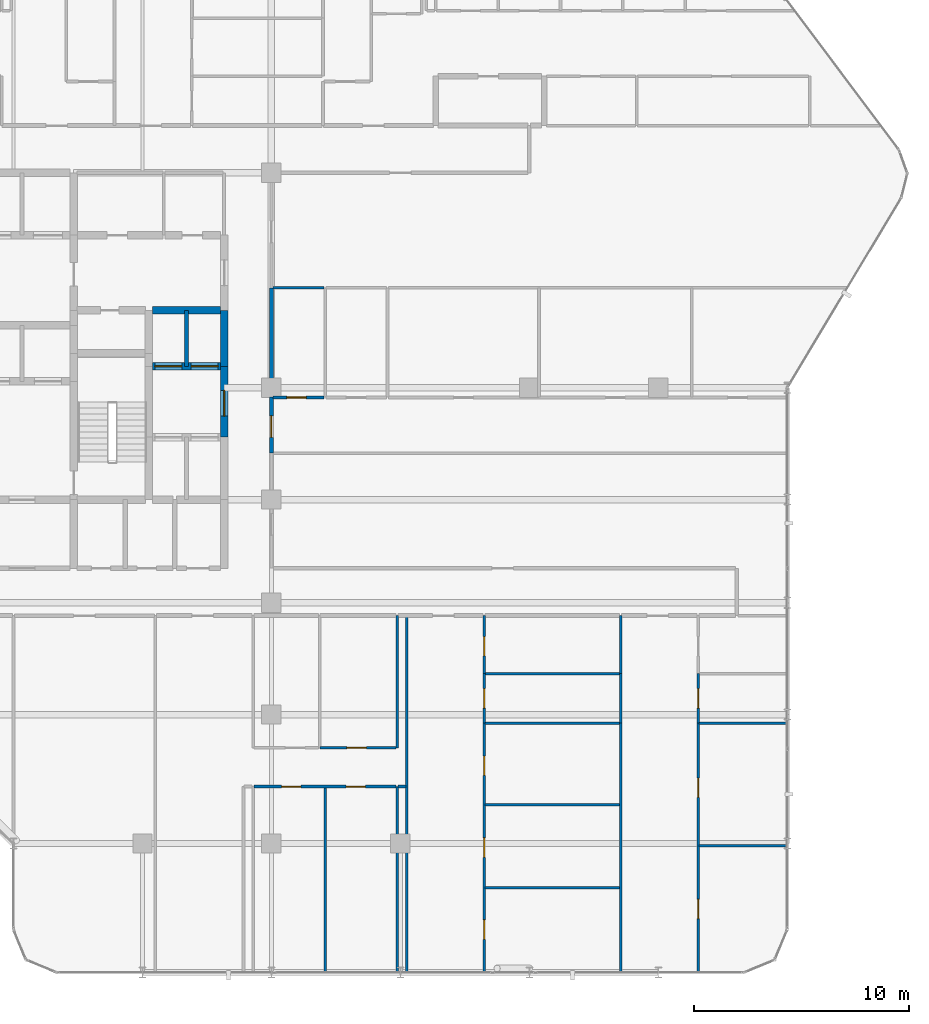
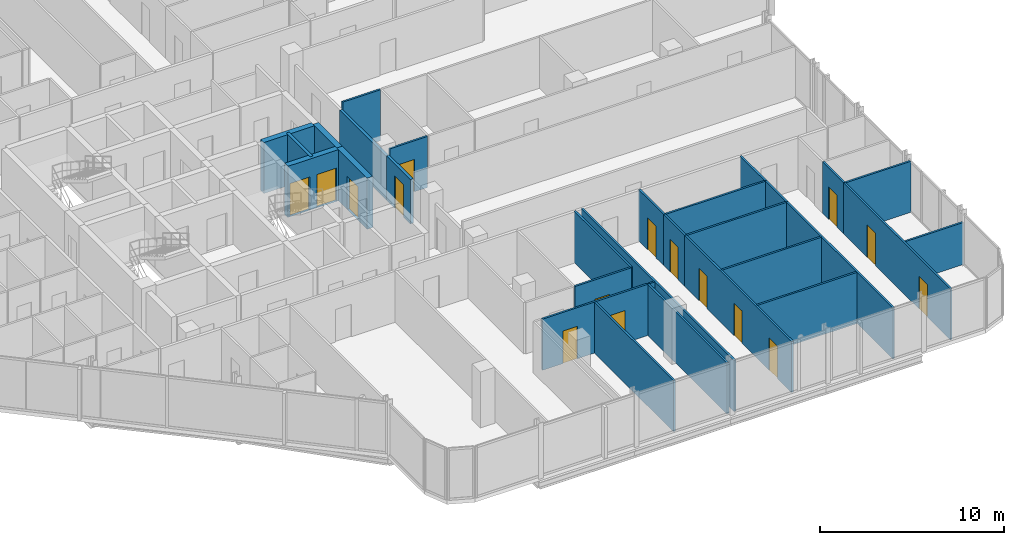
# One storey, part 27 of 31: 30 walls, 16 doors, 16 openings.
"""IFC4 building model written with IfcOpenShell, lengths in metres."""

import ifcopenshell
import ifcopenshell.guid

model = None  # the IFC model being written
_history = None  # IfcOwnerHistory: only IFC2X3 demands one
_inside = {}  # id of a spatial element -> (the spatial element, [elements in it])
_under = {}  # id of a project, library or spatial element -> (it, [spatial elements below it])
_declared = {}  # id of a project -> (the project, [libraries it declares])
_typed = {}  # id of a type object -> (the type object, [elements of that type])
_made_of = {}  # id of a material, layer set ... -> (it, [elements and type objects made of it])


def new_model(schema):
    """Start an empty IFC model of exactly this schema.

    Asked for "IFC4X3", IfcOpenShell would pick the latest addendum, in which some entities
    have other attributes; the version numbers below select the first issue.
    IFC2X3 requires an IfcOwnerHistory on every rooted entity: one is made here for all.
    """
    global model, _history
    if schema == "IFC4X3":
        model = ifcopenshell.file(schema_version=(4, 3, 0, 0))
    else:
        model = ifcopenshell.file(schema=schema)
    _inside.clear()
    _under.clear()
    _declared.clear()
    _typed.clear()
    _made_of.clear()
    _history = None
    if model.schema == "IFC2X3":
        org = make("IfcOrganization", Name="unknown")
        user = make(
            "IfcPersonAndOrganization",
            ThePerson=make("IfcPerson", FamilyName="unknown"),
            TheOrganization=org,
        )
        app = make(
            "IfcApplication",
            ApplicationDeveloper=org,
            Version="unknown",
            ApplicationFullName="unknown",
            ApplicationIdentifier="unknown",
        )
        _history = make(
            "IfcOwnerHistory",
            OwningUser=user,
            OwningApplication=app,
            ChangeAction="ADDED",
            CreationDate=0,
        )
    return model


def make(cls, **values):
    """One entity of the class cls with the attributes given. An attribute that is None is left unset."""
    return model.create_entity(
        cls, **{name: value for name, value in values.items() if value is not None}
    )


def rooted(cls, **values):
    """An entity with a GlobalId (a new one), such as an element, a storey or a relation."""
    return make(cls, GlobalId=ifcopenshell.guid.new(), OwnerHistory=_history, **values)


def si_unit(unit_type, name, prefix=None):
    """IfcSIUnit, for example si_unit("LENGTHUNIT", "METRE", prefix="MILLI")."""
    return make("IfcSIUnit", UnitType=unit_type, Prefix=prefix, Name=name)


def assignment(units):
    """IfcUnitAssignment: the units of a project."""
    return None if units is None else make("IfcUnitAssignment", Units=units)


def point(xyz):
    """IfcCartesianPoint."""
    return None if xyz is None else make("IfcCartesianPoint", Coordinates=xyz)


def direction(xyz):
    """IfcDirection."""
    return None if xyz is None else make("IfcDirection", DirectionRatios=xyz)


def frame(location, z_axis=None, x_axis=None):
    """IfcAxis2Placement3D, a coordinate frame: its origin and axes. An axis left out is left unset."""
    return make(
        "IfcAxis2Placement3D",
        Location=point(location),
        Axis=direction(z_axis),
        RefDirection=direction(x_axis),
    )


def frame_2d(location, x_axis=None):
    """IfcAxis2Placement2D, a coordinate frame in the plane: its origin and x axis."""
    return make(
        "IfcAxis2Placement2D", Location=point(location), RefDirection=direction(x_axis)
    )


def origin():
    """The frame at (0, 0, 0) with its axes left unset."""
    return frame((0.0, 0.0, 0.0))


def place(relative_to, where):
    """IfcLocalPlacement: puts the frame where relative to a parent placement (None: the world)."""
    return make(
        "IfcLocalPlacement", PlacementRelTo=relative_to, RelativePlacement=where
    )


def context(
    kind, dimensions, precision=None, world=None, true_north=None, identifier=None
):
    """IfcGeometricRepresentationContext, for example the 3D "Model" context."""
    return make(
        "IfcGeometricRepresentationContext",
        ContextIdentifier=identifier,
        ContextType=kind,
        CoordinateSpaceDimension=dimensions,
        Precision=precision,
        WorldCoordinateSystem=world,
        TrueNorth=true_north,
    )


def subcontext(parent, identifier, kind, view, scale=None):
    """IfcGeometricRepresentationSubContext, for example "Body" below "Model"."""
    return make(
        "IfcGeometricRepresentationSubContext",
        ContextIdentifier=identifier,
        ContextType=kind,
        ParentContext=parent,
        TargetScale=scale,
        TargetView=view,
    )


def project(units=None, contexts=None):
    """IfcProject with its units and contexts."""
    return rooted(
        "IfcProject",
        Name="project",
        RepresentationContexts=contexts,
        UnitsInContext=assignment(units),
    )


def spatial(cls, under=None, at=None, **own):
    """A site, building, storey or space (cls), placed at a placement, below another one or the project."""
    s = rooted(cls, ObjectPlacement=at, **own)
    if under is not None:
        _under.setdefault(under.id(), (under, []))[1].append(s)
    return s


def profile(cls, at=None, kind="AREA", **sizes):
    """A parametric profile (cls). Its sizes go by their IFC names, for example OverallWidth=200.0."""
    return make(cls, ProfileType=kind, Position=at, **sizes)


def rectangle(**sizes):
    """IfcRectangleProfileDef."""
    return profile("IfcRectangleProfileDef", **sizes)


def extrude(swept, where, along, depth):
    """IfcExtrudedAreaSolid: the profile swept, set in the frame where, extruded along a direction by depth."""
    return make(
        "IfcExtrudedAreaSolid",
        SweptArea=swept,
        Position=where,
        ExtrudedDirection=direction(along),
        Depth=depth,
    )


def shape(context_of_items, identifier, shape_type, items):
    """IfcShapeRepresentation: the items that make up one representation, for example the "Body"."""
    return make(
        "IfcShapeRepresentation",
        ContextOfItems=context_of_items,
        RepresentationIdentifier=identifier,
        RepresentationType=shape_type,
        Items=items,
    )


def material(Name=None, Category=None):
    """IfcMaterial."""
    return make("IfcMaterial", Name=Name, Category=Category)


def layer(
    of_material, thickness, ventilated=None, Name=None, Category=None, Priority=None
):
    """IfcMaterialLayer: one layer of a wall or slab, of a material (None: an air gap)."""
    return make(
        "IfcMaterialLayer",
        Material=of_material,
        LayerThickness=thickness,
        IsVentilated=ventilated,
        Name=Name,
        Category=Category,
        Priority=Priority,
    )


def layer_set(layers, Name=None):
    """IfcMaterialLayerSet."""
    return make("IfcMaterialLayerSet", MaterialLayers=layers, LayerSetName=Name)


def made_of(thing, what):
    """Note that an element or type object is made of a material, layer set ...; save() writes the relation."""
    if what is not None:
        _made_of.setdefault(what.id(), (what, []))[1].append(thing)
    return thing


def type_object(cls, material=None, **own):
    """A type object (cls), such as IfcWallType, which elements share."""
    return made_of(rooted(cls, **own), material)


def element(
    cls,
    number,
    at=None,
    inside=None,
    cuts=None,
    type_object=None,
    material=None,
    context=None,
    identifier="Body",
    shape_type=None,
    held_by="IfcProductDefinitionShape",
    body=None,
    shapes=None,
    **own,
):
    """One element of the class cls, such as IfcWall. Its Tag is "e" and its number.

    at: its placement. inside: the storey or other place that contains it. cuts: it is an
    opening in that element (IfcRelVoidsElement). A single representation is given by context,
    identifier, shape_type and body (its items); several are given by shapes. held_by: the class
    of the entity that holds the representations. save() writes the other relations.
    """
    e = rooted(cls, Tag="e%d" % number, ObjectPlacement=at, **own)
    if body is not None:
        shapes = [shape(context, identifier, shape_type, body)]
    if shapes is not None:
        e.Representation = make(held_by, Representations=shapes)
    if inside is not None:
        _inside.setdefault(inside.id(), (inside, []))[1].append(e)
    if cuts is not None:
        rooted(
            "IfcRelVoidsElement", RelatingBuildingElement=cuts, RelatedOpeningElement=e
        )
    if type_object is not None:
        _typed.setdefault(type_object.id(), (type_object, []))[1].append(e)
    return made_of(e, material)


def fill(opening, filler):
    """IfcRelFillsElement: the door or window that sits in an opening."""
    return rooted(
        "IfcRelFillsElement",
        RelatingOpeningElement=opening,
        RelatedBuildingElement=filler,
    )


def aggregate(whole, parts):
    """IfcRelAggregates: a whole, such as a stair, and the parts it consists of."""
    return rooted("IfcRelAggregates", RelatingObject=whole, RelatedObjects=parts)


def save(model, path):
    """Write the relations noted so far, then the file.

    IfcRelAggregates (storeys below a building ...), IfcRelContainedInSpatialStructure (elements
    in a storey), IfcRelDefinesByType, IfcRelAssociatesMaterial and IfcRelDeclares: one each for
    every whole, place, type object, material and project.
    """
    for whole, parts in _under.values():
        aggregate(whole, parts)
    for where, things in _inside.values():
        rooted(
            "IfcRelContainedInSpatialStructure",
            RelatedElements=things,
            RelatingStructure=where,
        )
    for kind, things in _typed.values():
        rooted("IfcRelDefinesByType", RelatedObjects=things, RelatingType=kind)
    for what, things in _made_of.values():
        rooted("IfcRelAssociatesMaterial", RelatedObjects=things, RelatingMaterial=what)
    for by, libraries in _declared.values():
        rooted("IfcRelDeclares", RelatingContext=by, RelatedDefinitions=libraries)
    model.write(path)


model = new_model("IFC4")

# Units and contexts
model_context = context("Model", 3, precision=1e-05, world=origin(), true_north=direction((0.0, 1.0)))
body_context = subcontext(model_context, "Body", "Model", "MODEL_VIEW")
ifc_project = project(units=[si_unit("LENGTHUNIT", "METRE"), si_unit("AREAUNIT", "SQUARE_METRE"), si_unit("VOLUMEUNIT", "CUBIC_METRE"), si_unit("PLANEANGLEUNIT", "RADIAN"), si_unit("MASSUNIT", "GRAM", prefix="KILO")], contexts=[model_context])

# Site, building, storey
site_placement = place(None, origin())
site = spatial("IfcSite", under=ifc_project, at=site_placement, CompositionType="ELEMENT")
building_placement = place(site_placement, origin())
building = spatial("IfcBuilding", under=site, at=building_placement, Name="Keshet Zoharim Tower", CompositionType="ELEMENT")
storey_placement = place(building_placement, frame((0.0, 0.0, 133.5)))
storey = spatial("IfcBuildingStorey", under=building, at=storey_placement, Name="L32", CompositionType="ELEMENT", Elevation=133.5)

# Wall, opening, door
ifc_material_1 = material(Name="Concrete C60/75", Category="concrete")
ifc_layer_1 = layer(ifc_material_1, 0.35009765625)
ifc_layer_set_1 = layer_set([ifc_layer_1], Name="Concrete C60/75")
wall_type_1 = type_object("IfcWallType", Name="WL-CORE-350", PredefinedType="SHEAR", material=ifc_layer_set_1)
wall_1_placement = place(storey_placement, frame((30.800048828125, 25.60009765625, 0.0), z_axis=(0.0, 0.0, 1.0), x_axis=(0.0, 1.0, 0.0)))
wall_1 = element("IfcWall", 1, at=wall_1_placement, inside=storey, type_object=wall_type_1, Name="L32 Core Shear Wall 061", PredefinedType="SHEAR", context=body_context, shape_type="SweptSolid", body=[
    extrude(rectangle(XDim=3.2998046875, YDim=0.35009765625, at=frame_2d((1.64990234375, 0.0))), origin(), (0.0, 0.0, 1.0), 3.385009765625),
])
opening_1_placement = place(wall_1_placement, frame((0.97802734375, 0.0, 0.0)))
opening_1 = element("IfcOpeningElement", 2, at=opening_1_placement, cuts=wall_1, Name="Opening D-F612", PredefinedType="OPENING", context=body_context, shape_type="SweptSolid", body=[
    extrude(rectangle(XDim=1.199951171875, YDim=2.199951171875, at=frame_2d((0.60009765625, 1.10009765625))), frame((0.0, 0.18505859375, 0.0), z_axis=(0.0, -1.0, 0.0), x_axis=(1.0, 0.0, 0.0)), (0.0, 0.0, 1.0), 0.3701171875),
])
ifc_material_2 = material(Name="Hardwood Timber", Category="wood")
door_type_1 = type_object("IfcDoorType", Name="DR-FD60-120", OperationType="NOTDEFINED", PredefinedType="DOOR", material=ifc_material_2)
door_1_placement = place(opening_1_placement, origin())
door_1 = element("IfcDoor", 3, at=door_1_placement, inside=storey, type_object=door_type_1, Name="L32 East Lift Lobby Fire Door", OperationType="SINGLE_SWING_LEFT", OverallHeight=2.199951171875, OverallWidth=1.199951171875, PredefinedType="DOOR", context=body_context, shape_type="SweptSolid", body=[
    extrude(rectangle(XDim=1.199951171875, YDim=2.199951171875, at=frame_2d((0.60009765625, 1.10009765625))), frame((0.0, 0.02490234375, 0.0), z_axis=(0.0, -1.0, 0.0), x_axis=(1.0, 0.0, 0.0)), (0.0, 0.0, 1.0), 0.050048828125),
])
fill(opening_1, door_1)

# Wall
wall_2_placement = place(storey_placement, frame((30.800048828125, 28.89990234375, 0.0), z_axis=(0.0, 0.0, 1.0), x_axis=(0.0, 1.0, 0.0)))
element("IfcWall", 4, at=wall_2_placement, inside=storey, type_object=wall_type_1, Name="L32 Core Shear Wall 062", PredefinedType="SHEAR", context=body_context, shape_type="SweptSolid", body=[
    extrude(rectangle(XDim=2.60009765625, YDim=0.35009765625, at=frame_2d((1.300048828125, 0.0))), origin(), (0.0, 0.0, 1.0), 3.385009765625),
])

# Wall, openings, doors
wall_3_placement = place(storey_placement, frame((27.4599609375, 28.89990234375, 0.0), z_axis=(0.0, 0.0, 1.0), x_axis=(1.0, 0.0, 0.0)))
wall_3 = element("IfcWall", 5, at=wall_3_placement, inside=storey, type_object=wall_type_1, Name="L32 Core Shear Wall 160", PredefinedType="SHEAR", context=body_context, shape_type="SweptSolid", body=[
    extrude(rectangle(XDim=3.179931640625, YDim=0.35009765625, at=frame_2d((1.58984375, 0.0))), origin(), (0.0, 0.0, 1.0), 3.385009765625),
])
opening_2_placement = place(wall_3_placement, frame((0.1201171875, 0.0, 0.0)))
opening_2 = element("IfcOpeningElement", 6, at=opening_2_placement, cuts=wall_3, Name="Opening LD-01", PredefinedType="OPENING", context=body_context, shape_type="SweptSolid", body=[
    extrude(rectangle(XDim=1.25, YDim=2.199951171875, at=frame_2d((0.625, 1.10009765625))), frame((0.0, 0.18505859375, 0.0), z_axis=(0.0, -1.0, 0.0), x_axis=(1.0, 0.0, 0.0)), (0.0, 0.0, 1.0), 0.3701171875),
])
opening_3_placement = place(wall_3_placement, frame((1.81005859375, 0.0, 0.0)))
opening_3 = element("IfcOpeningElement", 7, at=opening_3_placement, cuts=wall_3, Name="Opening LD-01", PredefinedType="OPENING", context=body_context, shape_type="SweptSolid", body=[
    extrude(rectangle(XDim=1.25, YDim=2.199951171875, at=frame_2d((0.625, 1.10009765625))), frame((0.0, 0.18505859375, 0.0), z_axis=(0.0, -1.0, 0.0), x_axis=(1.0, 0.0, 0.0)), (0.0, 0.0, 1.0), 0.3701171875),
])
ifc_material_3 = material(Name="Steel S355", Category="steel")
door_type_2 = type_object("IfcDoorType", Name="DR-LD01-125", OperationType="DOUBLE_DOOR_SLIDING", PredefinedType="DOOR", material=ifc_material_3)
door_2_placement = place(opening_2_placement, origin())
door_2 = element("IfcDoor", 8, at=door_2_placement, inside=storey, type_object=door_type_2, Name="L32 Passenger Lift Landing Door LF-05", OperationType="DOUBLE_DOOR_SLIDING", OverallHeight=2.199951171875, OverallWidth=1.25, PredefinedType="DOOR", context=body_context, shape_type="SweptSolid", body=[
    extrude(rectangle(XDim=1.25, YDim=2.199951171875, at=frame_2d((0.625, 1.10009765625))), frame((0.0, 0.02490234375, 0.0), z_axis=(0.0, -1.0, 0.0), x_axis=(1.0, 0.0, 0.0)), (0.0, 0.0, 1.0), 0.050048828125),
])
fill(opening_2, door_2)
door_3_placement = place(opening_3_placement, origin())
door_3 = element("IfcDoor", 9, at=door_3_placement, inside=storey, type_object=door_type_2, Name="L32 Passenger Lift Landing Door LF-06", OperationType="DOUBLE_DOOR_SLIDING", OverallHeight=2.199951171875, OverallWidth=1.25, PredefinedType="DOOR", context=body_context, shape_type="SweptSolid", body=[
    extrude(rectangle(XDim=1.25, YDim=2.199951171875, at=frame_2d((0.625, 1.10009765625))), frame((0.0, 0.02490234375, 0.0), z_axis=(0.0, -1.0, 0.0), x_axis=(1.0, 0.0, 0.0)), (0.0, 0.0, 1.0), 0.050048828125),
])
fill(opening_3, door_3)

# Wall
wall_4_placement = place(storey_placement, frame((27.4599609375, 31.5, 0.0), z_axis=(0.0, 0.0, 1.0), x_axis=(1.0, 0.0, 0.0)))
element("IfcWall", 10, at=wall_4_placement, inside=storey, type_object=wall_type_1, Name="L32 Core Shear Wall 169", PredefinedType="SHEAR", context=body_context, shape_type="SweptSolid", body=[
    extrude(rectangle(XDim=3.179931640625, YDim=0.35009765625, at=frame_2d((1.58984375, 0.0))), origin(), (0.0, 0.0, 1.0), 3.385009765625),
])

# Wall, opening, door
ifc_material_4 = material(Name="Gypsum Plasterboard", Category="gypsum")
ifc_layer_2 = layer(ifc_material_4, 0.179931640625)
ifc_layer_set_2 = layer_set([ifc_layer_2], Name="Gypsum Plasterboard")
wall_type_2 = type_object("IfcWallType", Name="WL-CORR-180", PredefinedType="STANDARD", material=ifc_layer_set_2)
wall_5_placement = place(storey_placement, frame((33.0, 24.8701171875, 0.0), z_axis=(0.0, 0.0, 1.0), x_axis=(0.0, 1.0, 0.0)))
wall_5 = element("IfcWall", 11, at=wall_5_placement, inside=storey, type_object=wall_type_2, Name="L32 Interior Wall 069", PredefinedType="STANDARD", context=body_context, shape_type="SweptSolid", body=[
    extrude(rectangle(XDim=2.599853515625, YDim=0.179931640625, at=frame_2d((1.2998046875, 0.0))), origin(), (0.0, 0.0, 1.0), 2.93505859375),
])
opening_4_placement = place(wall_5_placement, frame((0.722900390625, 0.0, 0.0)))
opening_4 = element("IfcOpeningElement", 12, at=opening_4_placement, cuts=wall_5, Name="Opening D-F310", PredefinedType="OPENING", context=body_context, shape_type="SweptSolid", body=[
    extrude(rectangle(XDim=1.0, YDim=2.14990234375, at=frame_2d((0.5, 1.074951171875))), frame((0.0, 0.10009765625, 0.0), z_axis=(0.0, -1.0, 0.0), x_axis=(1.0, 0.0, 0.0)), (0.0, 0.0, 1.0), 0.199951171875),
])
door_type_3 = type_object("IfcDoorType", Name="DR-FD30-100", OperationType="NOTDEFINED", PredefinedType="DOOR", material=ifc_material_2)
door_4_placement = place(opening_4_placement, origin())
door_4 = element("IfcDoor", 13, at=door_4_placement, inside=storey, type_object=door_type_3, Name="Apartment 3211 Entrance Door", OperationType="SINGLE_SWING_RIGHT", OverallHeight=2.14990234375, OverallWidth=1.0, PredefinedType="DOOR", context=body_context, shape_type="SweptSolid", body=[
    extrude(rectangle(XDim=1.0, YDim=2.14990234375, at=frame_2d((0.5, 1.074951171875))), frame((0.0, 0.02490234375, 0.0), z_axis=(0.0, -1.0, 0.0), x_axis=(1.0, 0.0, 0.0)), (0.0, 0.0, 1.0), 0.050048828125),
])
fill(opening_4, door_4)

# Walls
wall_6_placement = place(storey_placement, frame((33.0, 27.469970703125, 0.0), z_axis=(0.0, 0.0, 1.0), x_axis=(0.0, 1.0, 0.0)))
element("IfcWall", 14, at=wall_6_placement, inside=storey, type_object=wall_type_2, Name="L32 Interior Wall 070", PredefinedType="STANDARD", context=body_context, shape_type="SweptSolid", body=[
    extrude(rectangle(XDim=5.070068359375, YDim=0.179931640625, at=frame_2d((2.53515625, 0.0))), origin(), (0.0, 0.0, 1.0), 2.885009765625),
])
ifc_material_5 = material(Name="Concrete C50/60", Category="concrete")
ifc_layer_3 = layer(ifc_material_5, 0.199951171875)
ifc_layer_set_3 = layer_set([ifc_layer_3], Name="Concrete C50/60")
wall_type_3 = type_object("IfcWallType", Name="WL-FIRE-200", PredefinedType="STANDARD", material=ifc_layer_set_3)
wall_7_placement = place(storey_placement, frame((29.050048828125, 28.89990234375, 0.0), z_axis=(0.0, 0.0, 1.0), x_axis=(0.0, 1.0, 0.0)))
element("IfcWall", 15, at=wall_7_placement, inside=storey, type_object=wall_type_3, Name="L32 Interior Wall 055", PredefinedType="STANDARD", context=body_context, shape_type="SweptSolid", body=[
    extrude(rectangle(XDim=2.60009765625, YDim=0.199951171875, at=frame_2d((1.300048828125, 0.0))), origin(), (0.0, 0.0, 1.0), 3.385009765625),
])
ifc_layer_4 = layer(ifc_material_4, 0.1201171875)
ifc_layer_set_4 = layer_set([ifc_layer_4], Name="Gypsum Plasterboard")
wall_type_4 = type_object("IfcWallType", Name="WL-PART-120", PredefinedType="PARTITIONING", material=ifc_layer_set_4)
for number, where, z_axis, x_axis, name in (
    (16, (35.5, 0.7099609375, 0.0), (0.0, 0.0, 1.0), (0.0, 1.0, 0.0), "L32 Interior Wall 076"),
    (17, (38.85009765625, 0.7099609375, 0.0), (0.0, 0.0, 1.0), (0.0, 1.0, 0.0), "L32 Interior Wall 081"),
):
    element("IfcWall", number, at=place(storey_placement, frame(where, z_axis=z_axis, x_axis=x_axis)), inside=storey, type_object=wall_type_4, Name=name, PredefinedType="PARTITIONING", context=body_context, shape_type="SweptSolid", body=[
        extrude(rectangle(XDim=8.64013671875, YDim=0.1201171875, at=frame_2d((4.320068359375, 0.0))), origin(), (0.0, 0.0, 1.0), 3.385009765625),
    ])
wall_8_placement = place(storey_placement, frame((39.300048828125, 0.7099609375, 0.0), z_axis=(0.0, 0.0, 1.0), x_axis=(0.0, 1.0, 0.0)))
element("IfcWall", 18, at=wall_8_placement, inside=storey, type_object=wall_type_4, Name="L32 Interior Wall 083", PredefinedType="PARTITIONING", context=body_context, shape_type="SweptSolid", body=[
    extrude(rectangle(XDim=16.590087890625, YDim=0.1201171875, at=frame_2d((8.294921875, 0.0))), origin(), (0.0, 0.0, 1.0), 3.385009765625),
])

# Wall, openings, doors
wall_9_placement = place(storey_placement, frame((42.89990234375, 0.7099609375, 0.0), z_axis=(0.0, 0.0, 1.0), x_axis=(0.0, 1.0, 0.0)))
wall_9 = element("IfcWall", 19, at=wall_9_placement, inside=storey, type_object=wall_type_4, Name="L32 Interior Wall 088", PredefinedType="PARTITIONING", context=body_context, shape_type="SweptSolid", body=[
    extrude(rectangle(XDim=11.590087890625, YDim=0.1201171875, at=frame_2d((5.794921875, 0.0))), origin(), (0.0, 0.0, 1.0), 3.385009765625),
])
opening_5_placement = place(wall_9_placement, frame((1.534912109375, 0.0, 0.0)))
opening_5 = element("IfcOpeningElement", 20, at=opening_5_placement, cuts=wall_9, Name="Opening D-IN90", PredefinedType="OPENING", context=body_context, shape_type="SweptSolid", body=[
    extrude(rectangle(XDim=0.89990234375, YDim=2.14990234375, at=frame_2d((0.449951171875, 1.074951171875))), frame((0.0, 0.070068359375, 0.0), z_axis=(0.0, -1.0, 0.0), x_axis=(1.0, 0.0, 0.0)), (0.0, 0.0, 1.0), 0.14013671875),
])
opening_6_placement = place(wall_9_placement, frame((5.34912109375, 0.0, 0.0)))
opening_6 = element("IfcOpeningElement", 21, at=opening_6_placement, cuts=wall_9, Name="Opening D-IN90", PredefinedType="OPENING", context=body_context, shape_type="SweptSolid", body=[
    extrude(rectangle(XDim=0.89990234375, YDim=2.14990234375, at=frame_2d((0.449951171875, 1.074951171875))), frame((0.0, 0.070068359375, 0.0), z_axis=(0.0, -1.0, 0.0), x_axis=(1.0, 0.0, 0.0)), (0.0, 0.0, 1.0), 0.14013671875),
])
opening_7_placement = place(wall_9_placement, frame((9.158935546875, 0.0, 0.0)))
opening_7 = element("IfcOpeningElement", 22, at=opening_7_placement, cuts=wall_9, Name="Opening D-IN90", PredefinedType="OPENING", context=body_context, shape_type="SweptSolid", body=[
    extrude(rectangle(XDim=0.89990234375, YDim=2.14990234375, at=frame_2d((0.449951171875, 1.074951171875))), frame((0.0, 0.070068359375, 0.0), z_axis=(0.0, -1.0, 0.0), x_axis=(1.0, 0.0, 0.0)), (0.0, 0.0, 1.0), 0.14013671875),
])
door_type_4 = type_object("IfcDoorType", Name="DR-INT-090", OperationType="NOTDEFINED", PredefinedType="DOOR", material=ifc_material_2)
door_5_placement = place(opening_5_placement, origin())
door_5 = element("IfcDoor", 23, at=door_5_placement, inside=storey, type_object=door_type_4, Name="Apartment 3203 Bedroom 1 Door", OperationType="SINGLE_SWING_RIGHT", OverallHeight=2.14990234375, OverallWidth=0.89990234375, PredefinedType="DOOR", context=body_context, shape_type="SweptSolid", body=[
    extrude(rectangle(XDim=0.89990234375, YDim=2.14990234375, at=frame_2d((0.449951171875, 1.074951171875))), frame((0.0, 0.02490234375, 0.0), z_axis=(0.0, -1.0, 0.0), x_axis=(1.0, 0.0, 0.0)), (0.0, 0.0, 1.0), 0.050048828125),
])
fill(opening_5, door_5)
door_6_placement = place(opening_6_placement, origin())
door_6 = element("IfcDoor", 24, at=door_6_placement, inside=storey, type_object=door_type_4, Name="Apartment 3203 Bedroom 2 Door", OperationType="SINGLE_SWING_LEFT", OverallHeight=2.14990234375, OverallWidth=0.89990234375, PredefinedType="DOOR", context=body_context, shape_type="SweptSolid", body=[
    extrude(rectangle(XDim=0.89990234375, YDim=2.14990234375, at=frame_2d((0.449951171875, 1.074951171875))), frame((0.0, 0.02490234375, 0.0), z_axis=(0.0, -1.0, 0.0), x_axis=(1.0, 0.0, 0.0)), (0.0, 0.0, 1.0), 0.050048828125),
])
fill(opening_6, door_6)
door_7_placement = place(opening_7_placement, origin())
door_7 = element("IfcDoor", 25, at=door_7_placement, inside=storey, type_object=door_type_4, Name="Apartment 3203 Bedroom 3 Door", OperationType="SINGLE_SWING_RIGHT", OverallHeight=2.14990234375, OverallWidth=0.89990234375, PredefinedType="DOOR", context=body_context, shape_type="SweptSolid", body=[
    extrude(rectangle(XDim=0.89990234375, YDim=2.14990234375, at=frame_2d((0.449951171875, 1.074951171875))), frame((0.0, 0.02490234375, 0.0), z_axis=(0.0, -1.0, 0.0), x_axis=(1.0, 0.0, 0.0)), (0.0, 0.0, 1.0), 0.050048828125),
])
fill(opening_7, door_7)

# Wall, opening, door
wall_10_placement = place(storey_placement, frame((42.89990234375, 12.300048828125, 0.0), z_axis=(0.0, 0.0, 1.0), x_axis=(0.0, 1.0, 0.0)))
wall_10 = element("IfcWall", 26, at=wall_10_placement, inside=storey, type_object=wall_type_4, Name="L32 Interior Wall 089", PredefinedType="PARTITIONING", context=body_context, shape_type="SweptSolid", body=[
    extrude(rectangle(XDim=2.300048828125, YDim=0.1201171875, at=frame_2d((1.14990234375, 0.0))), origin(), (0.0, 0.0, 1.0), 3.385009765625),
])
opening_8_placement = place(wall_10_placement, frame((0.699951171875, 0.0, 0.0)))
opening_8 = element("IfcOpeningElement", 27, at=opening_8_placement, cuts=wall_10, Name="Opening D-IN90", PredefinedType="OPENING", context=body_context, shape_type="SweptSolid", body=[
    extrude(rectangle(XDim=0.89990234375, YDim=2.14990234375, at=frame_2d((0.449951171875, 1.074951171875))), frame((0.0, 0.070068359375, 0.0), z_axis=(0.0, -1.0, 0.0), x_axis=(1.0, 0.0, 0.0)), (0.0, 0.0, 1.0), 0.14013671875),
])
door_8_placement = place(opening_8_placement, origin())
door_8 = element("IfcDoor", 28, at=door_8_placement, inside=storey, type_object=door_type_4, Name="Apartment 3203 Kitchen Door", OperationType="SINGLE_SWING_LEFT", OverallHeight=2.14990234375, OverallWidth=0.89990234375, PredefinedType="DOOR", context=body_context, shape_type="SweptSolid", body=[
    extrude(rectangle(XDim=0.89990234375, YDim=2.14990234375, at=frame_2d((0.449951171875, 1.074951171875))), frame((0.0, 0.02490234375, 0.0), z_axis=(0.0, -1.0, 0.0), x_axis=(1.0, 0.0, 0.0)), (0.0, 0.0, 1.0), 0.050048828125),
])
fill(opening_8, door_8)

# Walls
wall_11_placement = place(storey_placement, frame((49.25, 0.7099609375, 0.0), z_axis=(0.0, 0.0, 1.0), x_axis=(0.0, 1.0, 0.0)))
element("IfcWall", 29, at=wall_11_placement, inside=storey, type_object=wall_type_4, Name="L32 Interior Wall 096", PredefinedType="PARTITIONING", context=body_context, shape_type="SweptSolid", body=[
    extrude(rectangle(XDim=11.590087890625, YDim=0.1201171875, at=frame_2d((5.794921875, 0.0))), origin(), (0.0, 0.0, 1.0), 3.385009765625),
])
wall_12_placement = place(storey_placement, frame((49.25, 12.300048828125, 0.0), z_axis=(0.0, 0.0, 1.0), x_axis=(0.0, 1.0, 0.0)))
element("IfcWall", 30, at=wall_12_placement, inside=storey, type_object=wall_type_4, Name="L32 Interior Wall 097", PredefinedType="PARTITIONING", context=body_context, shape_type="SweptSolid", body=[
    extrude(rectangle(XDim=2.300048828125, YDim=0.1201171875, at=frame_2d((1.14990234375, 0.0))), origin(), (0.0, 0.0, 1.0), 3.385009765625),
])

# Wall, openings, doors
wall_13_placement = place(storey_placement, frame((52.85009765625, 0.7099609375, 0.0), z_axis=(0.0, 0.0, 1.0), x_axis=(0.0, 1.0, 0.0)))
wall_13 = element("IfcWall", 31, at=wall_13_placement, inside=storey, type_object=wall_type_4, Name="L32 Interior Wall 103", PredefinedType="PARTITIONING", context=body_context, shape_type="SweptSolid", body=[
    extrude(rectangle(XDim=11.590087890625, YDim=0.1201171875, at=frame_2d((5.794921875, 0.0))), origin(), (0.0, 0.0, 1.0), 3.385009765625),
])
opening_9_placement = place(wall_13_placement, frame((2.489990234375, 0.0, 0.0)))
opening_9 = element("IfcOpeningElement", 32, at=opening_9_placement, cuts=wall_13, Name="Opening D-IN90", PredefinedType="OPENING", context=body_context, shape_type="SweptSolid", body=[
    extrude(rectangle(XDim=0.89990234375, YDim=2.14990234375, at=frame_2d((0.449951171875, 1.074951171875))), frame((0.0, 0.070068359375, 0.0), z_axis=(0.0, -1.0, 0.0), x_axis=(1.0, 0.0, 0.0)), (0.0, 0.0, 1.0), 0.14013671875),
])
opening_10_placement = place(wall_13_placement, frame((8.133056640625, 0.0, 0.0)))
opening_10 = element("IfcOpeningElement", 33, at=opening_10_placement, cuts=wall_13, Name="Opening D-IN90", PredefinedType="OPENING", context=body_context, shape_type="SweptSolid", body=[
    extrude(rectangle(XDim=0.89990234375, YDim=2.14990234375, at=frame_2d((0.449951171875, 1.074951171875))), frame((0.0, 0.070068359375, 0.0), z_axis=(0.0, -1.0, 0.0), x_axis=(1.0, 0.0, 0.0)), (0.0, 0.0, 1.0), 0.14013671875),
])
door_9_placement = place(opening_9_placement, origin())
door_9 = element("IfcDoor", 34, at=door_9_placement, inside=storey, type_object=door_type_4, Name="Apartment 3204 Bedroom 1 Door", OperationType="SINGLE_SWING_LEFT", OverallHeight=2.14990234375, OverallWidth=0.89990234375, PredefinedType="DOOR", context=body_context, shape_type="SweptSolid", body=[
    extrude(rectangle(XDim=0.89990234375, YDim=2.14990234375, at=frame_2d((0.449951171875, 1.074951171875))), frame((0.0, 0.02490234375, 0.0), z_axis=(0.0, -1.0, 0.0), x_axis=(1.0, 0.0, 0.0)), (0.0, 0.0, 1.0), 0.050048828125),
])
fill(opening_9, door_9)
door_10_placement = place(opening_10_placement, origin())
door_10 = element("IfcDoor", 35, at=door_10_placement, inside=storey, type_object=door_type_4, Name="Apartment 3204 Bedroom 2 Door", OperationType="SINGLE_SWING_RIGHT", OverallHeight=2.14990234375, OverallWidth=0.89990234375, PredefinedType="DOOR", context=body_context, shape_type="SweptSolid", body=[
    extrude(rectangle(XDim=0.89990234375, YDim=2.14990234375, at=frame_2d((0.449951171875, 1.074951171875))), frame((0.0, 0.02490234375, 0.0), z_axis=(0.0, -1.0, 0.0), x_axis=(1.0, 0.0, 0.0)), (0.0, 0.0, 1.0), 0.050048828125),
])
fill(opening_10, door_10)

# Wall, opening, door
wall_14_placement = place(storey_placement, frame((52.85009765625, 12.300048828125, 0.0), z_axis=(0.0, 0.0, 1.0), x_axis=(0.0, 1.0, 0.0)))
wall_14 = element("IfcWall", 36, at=wall_14_placement, inside=storey, type_object=wall_type_4, Name="L32 Interior Wall 104", PredefinedType="PARTITIONING", context=body_context, shape_type="SweptSolid", body=[
    extrude(rectangle(XDim=2.300048828125, YDim=0.1201171875, at=frame_2d((1.14990234375, 0.0))), origin(), (0.0, 0.0, 1.0), 3.385009765625),
])
opening_11_placement = place(wall_14_placement, frame((0.699951171875, 0.0, 0.0)))
opening_11 = element("IfcOpeningElement", 37, at=opening_11_placement, cuts=wall_14, Name="Opening D-IN90", PredefinedType="OPENING", context=body_context, shape_type="SweptSolid", body=[
    extrude(rectangle(XDim=0.89990234375, YDim=2.14990234375, at=frame_2d((0.449951171875, 1.074951171875))), frame((0.0, 0.070068359375, 0.0), z_axis=(0.0, -1.0, 0.0), x_axis=(1.0, 0.0, 0.0)), (0.0, 0.0, 1.0), 0.14013671875),
])
door_11_placement = place(opening_11_placement, origin())
door_11 = element("IfcDoor", 38, at=door_11_placement, inside=storey, type_object=door_type_4, Name="Apartment 3204 Kitchen Door", OperationType="SINGLE_SWING_LEFT", OverallHeight=2.14990234375, OverallWidth=0.89990234375, PredefinedType="DOOR", context=body_context, shape_type="SweptSolid", body=[
    extrude(rectangle(XDim=0.89990234375, YDim=2.14990234375, at=frame_2d((0.449951171875, 1.074951171875))), frame((0.0, 0.02490234375, 0.0), z_axis=(0.0, -1.0, 0.0), x_axis=(1.0, 0.0, 0.0)), (0.0, 0.0, 1.0), 0.050048828125),
])
fill(opening_11, door_11)

# Walls
wall_15_placement = place(storey_placement, frame((42.945068359375, 4.64990234375, 0.0), z_axis=(0.0, 0.0, 1.0), x_axis=(1.0, 0.0, 0.0)))
element("IfcWall", 39, at=wall_15_placement, inside=storey, type_object=wall_type_4, Name="L32 Interior Wall 108", PredefinedType="PARTITIONING", context=body_context, shape_type="SweptSolid", body=[
    extrude(rectangle(XDim=6.25, YDim=0.1201171875, at=frame_2d((3.125, 0.0))), origin(), (0.0, 0.0, 1.0), 3.385009765625),
])
wall_16_placement = place(storey_placement, frame((52.885009765625, 6.60009765625, 0.0), z_axis=(0.0, 0.0, 1.0), x_axis=(1.0, 0.0, 0.0)))
element("IfcWall", 40, at=wall_16_placement, inside=storey, type_object=wall_type_4, Name="L32 Interior Wall 109", PredefinedType="PARTITIONING", context=body_context, shape_type="SweptSolid", body=[
    extrude(rectangle(XDim=4.10498046875, YDim=0.1201171875, at=frame_2d((2.052490234375, 0.0))), origin(), (0.0, 0.0, 1.0), 2.784912109375),
])
wall_17_placement = place(storey_placement, frame((42.945068359375, 8.5, 0.0), z_axis=(0.0, 0.0, 1.0), x_axis=(1.0, 0.0, 0.0)))
element("IfcWall", 41, at=wall_17_placement, inside=storey, type_object=wall_type_4, Name="L32 Interior Wall 110", PredefinedType="PARTITIONING", context=body_context, shape_type="SweptSolid", body=[
    extrude(rectangle(XDim=6.25, YDim=0.1201171875, at=frame_2d((3.125, 0.0))), origin(), (0.0, 0.0, 1.0), 3.385009765625),
])

# Wall, openings, doors
wall_18_placement = place(storey_placement, frame((32.18505859375, 9.35009765625, 0.0), z_axis=(0.0, 0.0, 1.0), x_axis=(1.0, 0.0, 0.0)))
wall_18 = element("IfcWall", 42, at=wall_18_placement, inside=storey, type_object=wall_type_4, Name="L32 Interior Wall 112", PredefinedType="PARTITIONING", context=body_context, shape_type="SweptSolid", body=[
    extrude(rectangle(XDim=6.619873046875, YDim=0.1201171875, at=frame_2d((3.31005859375, 0.0))), origin(), (0.0, 0.0, 1.0), 3.385009765625),
])
opening_12_placement = place(wall_18_placement, frame((1.284912109375, 0.0, 0.0)))
opening_12 = element("IfcOpeningElement", 43, at=opening_12_placement, cuts=wall_18, Name="Opening D-IN90", PredefinedType="OPENING", context=body_context, shape_type="SweptSolid", body=[
    extrude(rectangle(XDim=0.89990234375, YDim=2.14990234375, at=frame_2d((0.449951171875, 1.074951171875))), frame((0.0, 0.070068359375, 0.0), z_axis=(0.0, -1.0, 0.0), x_axis=(1.0, 0.0, 0.0)), (0.0, 0.0, 1.0), 0.14013671875),
])
opening_13_placement = place(wall_18_placement, frame((4.2900390625, 0.0, 0.0)))
opening_13 = element("IfcOpeningElement", 44, at=opening_13_placement, cuts=wall_18, Name="Opening D-IN90", PredefinedType="OPENING", context=body_context, shape_type="SweptSolid", body=[
    extrude(rectangle(XDim=0.89990234375, YDim=2.14990234375, at=frame_2d((0.449951171875, 1.074951171875))), frame((0.0, 0.070068359375, 0.0), z_axis=(0.0, -1.0, 0.0), x_axis=(1.0, 0.0, 0.0)), (0.0, 0.0, 1.0), 0.14013671875),
])
door_12_placement = place(opening_12_placement, origin())
door_12 = element("IfcDoor", 45, at=door_12_placement, inside=storey, type_object=door_type_4, Name="Apartment 3202 Bedroom 1 Door", OperationType="SINGLE_SWING_LEFT", OverallHeight=2.14990234375, OverallWidth=0.89990234375, PredefinedType="DOOR", context=body_context, shape_type="SweptSolid", body=[
    extrude(rectangle(XDim=0.89990234375, YDim=2.14990234375, at=frame_2d((0.449951171875, 1.074951171875))), frame((0.0, 0.02490234375, 0.0), z_axis=(0.0, -1.0, 0.0), x_axis=(1.0, 0.0, 0.0)), (0.0, 0.0, 1.0), 0.050048828125),
])
fill(opening_12, door_12)
door_13_placement = place(opening_13_placement, origin())
door_13 = element("IfcDoor", 46, at=door_13_placement, inside=storey, type_object=door_type_4, Name="Apartment 3202 Bedroom 2 Door", OperationType="SINGLE_SWING_RIGHT", OverallHeight=2.14990234375, OverallWidth=0.89990234375, PredefinedType="DOOR", context=body_context, shape_type="SweptSolid", body=[
    extrude(rectangle(XDim=0.89990234375, YDim=2.14990234375, at=frame_2d((0.449951171875, 1.074951171875))), frame((0.0, 0.02490234375, 0.0), z_axis=(0.0, -1.0, 0.0), x_axis=(1.0, 0.0, 0.0)), (0.0, 0.0, 1.0), 0.050048828125),
])
fill(opening_13, door_13)

# Walls
wall_19_placement = place(storey_placement, frame((38.89501953125, 9.35009765625, 0.0), z_axis=(0.0, 0.0, 1.0), x_axis=(1.0, 0.0, 0.0)))
element("IfcWall", 47, at=wall_19_placement, inside=storey, type_object=wall_type_4, Name="L32 Interior Wall 113", PredefinedType="PARTITIONING", context=body_context, shape_type="SweptSolid", body=[
    extrude(rectangle(XDim=0.35986328125, YDim=0.1201171875, at=frame_2d((0.179931640625, 0.0))), origin(), (0.0, 0.0, 1.0), 3.385009765625),
])
wall_20_placement = place(storey_placement, frame((42.945068359375, 12.300048828125, 0.0), z_axis=(0.0, 0.0, 1.0), x_axis=(1.0, 0.0, 0.0)))
element("IfcWall", 48, at=wall_20_placement, inside=storey, type_object=wall_type_4, Name="L32 Interior Wall 117", PredefinedType="PARTITIONING", context=body_context, shape_type="SweptSolid", body=[
    extrude(rectangle(XDim=6.25, YDim=0.1201171875, at=frame_2d((3.125, 0.0))), origin(), (0.0, 0.0, 1.0), 3.385009765625),
])
wall_21_placement = place(storey_placement, frame((52.885009765625, 12.300048828125, 0.0), z_axis=(0.0, 0.0, 1.0), x_axis=(1.0, 0.0, 0.0)))
element("IfcWall", 49, at=wall_21_placement, inside=storey, type_object=wall_type_4, Name="L32 Interior Wall 118", PredefinedType="PARTITIONING", context=body_context, shape_type="SweptSolid", body=[
    extrude(rectangle(XDim=4.10498046875, YDim=0.1201171875, at=frame_2d((2.052490234375, 0.0))), origin(), (0.0, 0.0, 1.0), 3.385009765625),
])

# Wall, opening, door
wall_22_placement = place(storey_placement, frame((33.074951171875, 27.449951171875, 0.0), z_axis=(0.0, 0.0, 1.0), x_axis=(1.0, 0.0, 0.0)))
wall_22 = element("IfcWall", 50, at=wall_22_placement, inside=storey, type_object=wall_type_4, Name="L32 Interior Wall 156", PredefinedType="PARTITIONING", context=body_context, shape_type="SweptSolid", body=[
    extrude(rectangle(XDim=2.364013671875, YDim=0.1201171875, at=frame_2d((1.18212890625, 0.0))), origin(), (0.0, 0.0, 1.0), 3.385009765625),
])
opening_14_placement = place(wall_22_placement, frame((0.64111328125, 0.0, 0.0)))
opening_14 = element("IfcOpeningElement", 51, at=opening_14_placement, cuts=wall_22, Name="Opening D-IN90", PredefinedType="OPENING", context=body_context, shape_type="SweptSolid", body=[
    extrude(rectangle(XDim=0.89990234375, YDim=2.14990234375, at=frame_2d((0.449951171875, 1.074951171875))), frame((0.0, 0.070068359375, 0.0), z_axis=(0.0, -1.0, 0.0), x_axis=(1.0, 0.0, 0.0)), (0.0, 0.0, 1.0), 0.14013671875),
])
door_14_placement = place(opening_14_placement, origin())
door_14 = element("IfcDoor", 52, at=door_14_placement, inside=storey, type_object=door_type_4, Name="Apartment 3211 Kitchen Door", OperationType="SINGLE_SWING_LEFT", OverallHeight=2.14990234375, OverallWidth=0.89990234375, PredefinedType="DOOR", context=body_context, shape_type="SweptSolid", body=[
    extrude(rectangle(XDim=0.89990234375, YDim=2.14990234375, at=frame_2d((0.449951171875, 1.074951171875))), frame((0.0, 0.02490234375, 0.0), z_axis=(0.0, -1.0, 0.0), x_axis=(1.0, 0.0, 0.0)), (0.0, 0.0, 1.0), 0.050048828125),
])
fill(opening_14, door_14)

# Walls
wall_23_placement = place(storey_placement, frame((33.074951171875, 32.550048828125, 0.0), z_axis=(0.0, 0.0, 1.0), x_axis=(1.0, 0.0, 0.0)))
element("IfcWall", 53, at=wall_23_placement, inside=storey, type_object=wall_type_4, Name="L32 Interior Wall 172", PredefinedType="PARTITIONING", context=body_context, shape_type="SweptSolid", body=[
    extrude(rectangle(XDim=2.364013671875, YDim=0.1201171875, at=frame_2d((1.18212890625, 0.0))), origin(), (0.0, 0.0, 1.0), 3.385009765625),
])
ifc_layer_5 = layer(ifc_material_4, 0.1201171875)
ifc_layer_set_5 = layer_set([ifc_layer_5], Name="Gypsum Plasterboard")
wall_type_5 = type_object("IfcWallType", Name="WL-WET-120", PredefinedType="PARTITIONING", material=ifc_layer_set_5)
wall_24_placement = place(storey_placement, frame((38.85009765625, 11.14990234375, 0.0), z_axis=(0.0, 0.0, 1.0), x_axis=(0.0, 1.0, 0.0)))
element("IfcWall", 54, at=wall_24_placement, inside=storey, type_object=wall_type_5, Name="L32 Interior Wall 082", PredefinedType="PARTITIONING", context=body_context, shape_type="SweptSolid", body=[
    extrude(rectangle(XDim=6.150146484375, YDim=0.1201171875, at=frame_2d((3.0751953125, 0.0))), origin(), (0.0, 0.0, 1.0), 3.385009765625),
])

# Wall, opening, door
wall_25_placement = place(storey_placement, frame((42.89990234375, 14.60009765625, 0.0), z_axis=(0.0, 0.0, 1.0), x_axis=(0.0, 1.0, 0.0)))
wall_25 = element("IfcWall", 55, at=wall_25_placement, inside=storey, type_object=wall_type_5, Name="L32 Interior Wall 090", PredefinedType="PARTITIONING", context=body_context, shape_type="SweptSolid", body=[
    extrude(rectangle(XDim=2.699951171875, YDim=0.1201171875, at=frame_2d((1.35009765625, 0.0))), origin(), (0.0, 0.0, 1.0), 3.385009765625),
])
opening_15_placement = place(wall_25_placement, frame((0.827880859375, 0.0, 0.0)))
opening_15 = element("IfcOpeningElement", 56, at=opening_15_placement, cuts=wall_25, Name="Opening D-WT90", PredefinedType="OPENING", context=body_context, shape_type="SweptSolid", body=[
    extrude(rectangle(XDim=0.89990234375, YDim=2.10009765625, at=frame_2d((0.449951171875, 1.050048828125))), frame((0.0, 0.070068359375, 0.0), z_axis=(0.0, -1.0, 0.0), x_axis=(1.0, 0.0, 0.0)), (0.0, 0.0, 1.0), 0.14013671875),
])
door_type_5 = type_object("IfcDoorType", Name="DR-WET-090", OperationType="NOTDEFINED", PredefinedType="DOOR", material=ifc_material_2)
door_15_placement = place(opening_15_placement, origin())
door_15 = element("IfcDoor", 57, at=door_15_placement, inside=storey, type_object=door_type_5, Name="Apartment 3203 Bathroom Door", OperationType="SINGLE_SWING_RIGHT", OverallHeight=2.10009765625, OverallWidth=0.89990234375, PredefinedType="DOOR", context=body_context, shape_type="SweptSolid", body=[
    extrude(rectangle(XDim=0.89990234375, YDim=2.10009765625, at=frame_2d((0.449951171875, 1.050048828125))), frame((0.0, 0.02490234375, 0.0), z_axis=(0.0, -1.0, 0.0), x_axis=(1.0, 0.0, 0.0)), (0.0, 0.0, 1.0), 0.050048828125),
])
fill(opening_15, door_15)

# Wall
wall_26_placement = place(storey_placement, frame((49.25, 14.60009765625, 0.0), z_axis=(0.0, 0.0, 1.0), x_axis=(0.0, 1.0, 0.0)))
element("IfcWall", 58, at=wall_26_placement, inside=storey, type_object=wall_type_5, Name="L32 Interior Wall 098", PredefinedType="PARTITIONING", context=body_context, shape_type="SweptSolid", body=[
    extrude(rectangle(XDim=2.699951171875, YDim=0.1201171875, at=frame_2d((1.35009765625, 0.0))), origin(), (0.0, 0.0, 1.0), 3.385009765625),
])

# Wall, opening, door
wall_27_placement = place(storey_placement, frame((35.27197265625, 11.14990234375, 0.0), z_axis=(0.0, 0.0, 1.0), x_axis=(1.0, 0.0, 0.0)))
wall_27 = element("IfcWall", 59, at=wall_27_placement, inside=storey, type_object=wall_type_5, Name="L32 Interior Wall 115", PredefinedType="PARTITIONING", context=body_context, shape_type="SweptSolid", body=[
    extrude(rectangle(XDim=3.532958984375, YDim=0.1201171875, at=frame_2d((1.7666015625, 0.0))), origin(), (0.0, 0.0, 1.0), 3.385009765625),
])
opening_16_placement = place(wall_27_placement, frame((1.242919921875, 0.0, 0.0)))
opening_16 = element("IfcOpeningElement", 60, at=opening_16_placement, cuts=wall_27, Name="Opening D-WT90", PredefinedType="OPENING", context=body_context, shape_type="SweptSolid", body=[
    extrude(rectangle(XDim=0.89990234375, YDim=2.10009765625, at=frame_2d((0.449951171875, 1.050048828125))), frame((0.0, 0.070068359375, 0.0), z_axis=(0.0, -1.0, 0.0), x_axis=(1.0, 0.0, 0.0)), (0.0, 0.0, 1.0), 0.14013671875),
])
door_16_placement = place(opening_16_placement, origin())
door_16 = element("IfcDoor", 61, at=door_16_placement, inside=storey, type_object=door_type_5, Name="Apartment 3202 Bathroom Door", OperationType="SINGLE_SWING_RIGHT", OverallHeight=2.10009765625, OverallWidth=0.89990234375, PredefinedType="DOOR", context=body_context, shape_type="SweptSolid", body=[
    extrude(rectangle(XDim=0.89990234375, YDim=2.10009765625, at=frame_2d((0.449951171875, 1.050048828125))), frame((0.0, 0.02490234375, 0.0), z_axis=(0.0, -1.0, 0.0), x_axis=(1.0, 0.0, 0.0)), (0.0, 0.0, 1.0), 0.050048828125),
])
fill(opening_16, door_16)

# Wall
wall_28_placement = place(storey_placement, frame((42.945068359375, 14.60009765625, 0.0), z_axis=(0.0, 0.0, 1.0), x_axis=(1.0, 0.0, 0.0)))
element("IfcWall", 62, at=wall_28_placement, inside=storey, type_object=wall_type_5, Name="L32 Interior Wall 120", PredefinedType="PARTITIONING", context=body_context, shape_type="SweptSolid", body=[
    extrude(rectangle(XDim=6.25, YDim=0.1201171875, at=frame_2d((3.125, 0.0))), origin(), (0.0, 0.0, 1.0), 3.385009765625),
])

save(model, "model.ifc")
